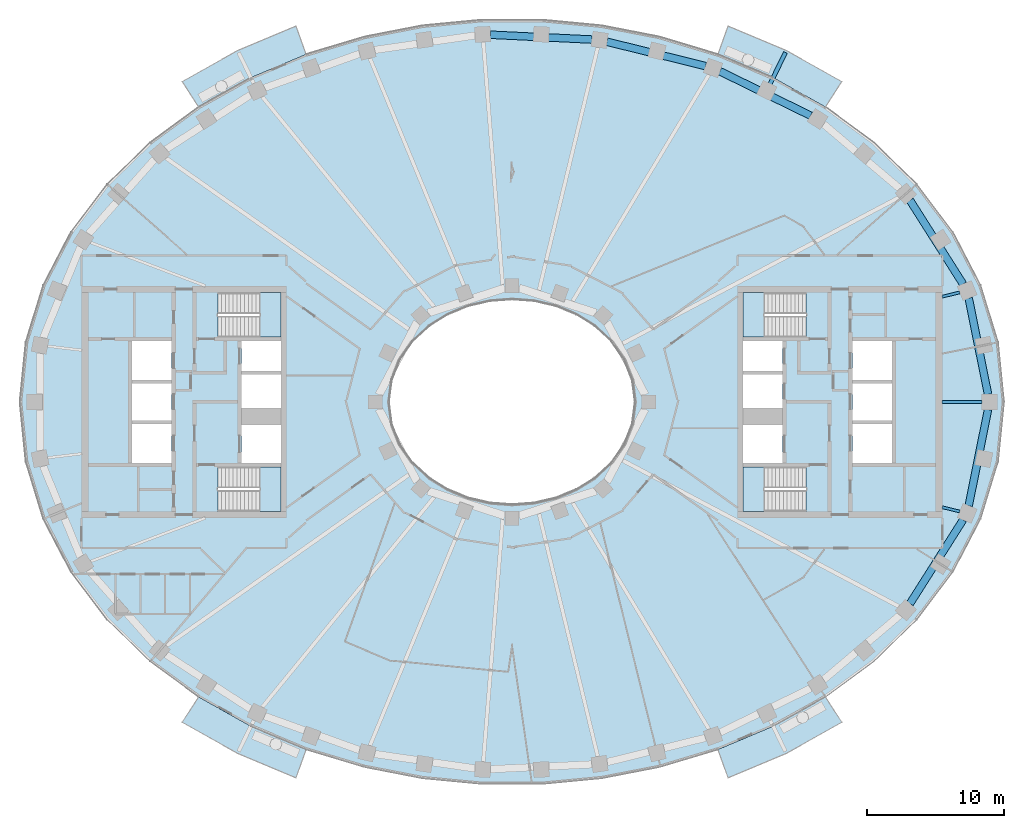
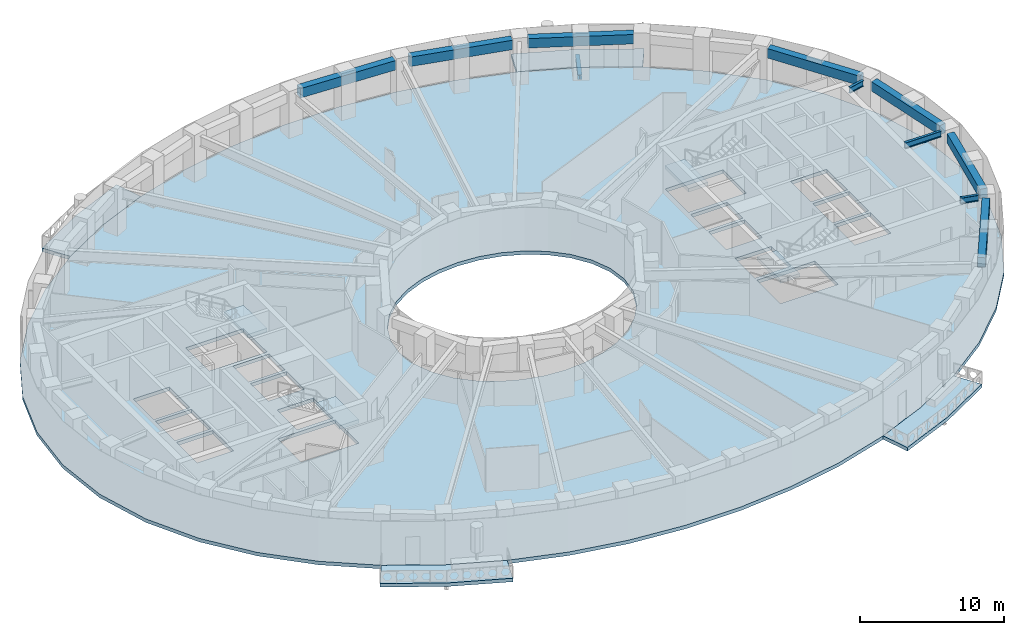
# One storey, part 2 of 15: 11 beams, 9 slabs, 4 elements without a shape of their own.
"""IFC4 building model written with IfcOpenShell, lengths in metres."""

from ifc_helpers import new_model, si_unit, direction, frame, origin, origin_2d, place, context, subcontext, project, spatial, polyline, rectangle, i_section, outline, extrude, material, layer, layer_set, material_profile, profile_set, type_object, element, aggregate, save


model = new_model("IFC4")

# Units and contexts
model_context = context("Model", 3, precision=1e-05, world=origin(), true_north=direction((0.0, 1.0)))
body_context = subcontext(model_context, "Body", "Model", "MODEL_VIEW")
ifc_project = project(units=[si_unit("LENGTHUNIT", "METRE"), si_unit("AREAUNIT", "SQUARE_METRE"), si_unit("VOLUMEUNIT", "CUBIC_METRE"), si_unit("PLANEANGLEUNIT", "RADIAN"), si_unit("MASSUNIT", "GRAM", prefix="KILO")], contexts=[model_context])

# Site, building, storey
site_placement = place(None, origin())
site = spatial("IfcSite", under=ifc_project, at=site_placement, CompositionType="ELEMENT")
building_placement = place(site_placement, origin())
building = spatial("IfcBuilding", under=site, at=building_placement, Name="Noorbagh Ring Tower", CompositionType="ELEMENT")
storey_placement = place(building_placement, frame((0.0, 0.0, 182.0)))
storey = spatial("IfcBuildingStorey", under=building, at=storey_placement, Name="L42", CompositionType="ELEMENT", Elevation=182.0)

# Beams
ifc_material_1 = material(Name="Steel S355", Category="steel")
ifc_material_profile_1 = material_profile(ifc_material_1, i_section(OverallWidth=0.300048828125, OverallDepth=0.39990234375, WebThickness=0.013427734375, FlangeThickness=0.02392578125, FilletRadius=0.027099609375, at=origin_2d()), Name="HEB400")
ifc_profile_set_1 = profile_set([ifc_material_profile_1], Name="Steel S355")
beam_type_1 = type_object("IfcBeamType", Name="STR-BALCONY-BRACKET-HEB400", PredefinedType="BEAM", material=ifc_profile_set_1)
beam_1_placement = place(storey_placement, frame((18.89013671875, 23.283935546875, -0.5), z_axis=(0.439230736405, 0.898374287364, 0.0), x_axis=(-0.898374287364, 0.439230736405, 0.0)))
element("IfcBeam", 1, at=beam_1_placement, inside=storey, type_object=beam_type_1, Name="Balcony bracket beam BN02", PredefinedType="BEAM", context=body_context, shape_type="SweptSolid", body=[
    extrude(i_section(OverallWidth=0.300048828125, OverallDepth=0.39990234375, WebThickness=0.013427734375, FlangeThickness=0.02392578125, FilletRadius=0.027099609375, at=origin_2d()), origin(), (0.0, 0.0, 1.0), 2.55029296875),
])
ifc_material_2 = material(Name="Steel S355", Category="steel")
ifc_material_profile_2 = material_profile(ifc_material_2, i_section(OverallWidth=0.199951171875, OverallDepth=0.5, WebThickness=0.01025390625, FlangeThickness=0.01611328125, FilletRadius=0.02099609375, at=origin_2d()), Name="IPE500")
ifc_profile_set_2 = profile_set([ifc_material_profile_2], Name="Steel S355")
beam_type_2 = type_object("IfcBeamType", Name="STR-RAD-IPE500", PredefinedType="BEAM", material=ifc_profile_set_2)
beam_2_placement = place(storey_placement, frame((34.3896484375, 0.0, 3.449951171875), z_axis=(-1.0, 0.0, 0.0), x_axis=(0.0, -1.0, 0.0)))
element("IfcBeam", 2, at=beam_2_placement, inside=storey, type_object=beam_type_2, Name="L42/bm/RD01", PredefinedType="BEAM", context=body_context, shape_type="SweptSolid", body=[
    extrude(i_section(OverallWidth=0.199951171875, OverallDepth=0.5, WebThickness=0.01025390625, FlangeThickness=0.01611328125, FilletRadius=0.02099609375, at=origin_2d()), origin(), (0.0, 0.0, 1.0), 2.90966796875),
])
for number, where, z_axis, x_axis, name in (
    (3, (32.759765625, 8.015869140625, 3.449951171875), (-0.971351477813, -0.237647441709, 0.0), (0.237647441709, -0.971351477813, 0.0), "L42/bm/RD03"),
    (4, (32.759765625, -8.015869140625, 3.449951171875), (-0.971351477813, 0.237647441709, 0.0), (-0.237647441709, -0.971351477813, 0.0), "L42/bm/RD45"),
):
    element("IfcBeam", number, at=place(storey_placement, frame(where, z_axis=z_axis, x_axis=x_axis)), inside=storey, type_object=beam_type_2, Name=name, PredefinedType="BEAM", context=body_context, shape_type="SweptSolid", body=[
        extrude(i_section(OverallWidth=0.199951171875, OverallDepth=0.5, WebThickness=0.01025390625, FlangeThickness=0.01611328125, FilletRadius=0.02099609375, at=origin_2d()), origin(), (0.0, 0.0, 1.0), 1.317138671875),
    ])
ifc_material_3 = material(Name="Concrete C40/50", Category="concrete")
ifc_material_profile_3 = material_profile(ifc_material_3, rectangle(XDim=0.550048828125, YDim=0.800048828125, at=origin_2d()), Name="RC550x800")
ifc_profile_set_3 = profile_set([ifc_material_profile_3], Name="Concrete C40/50")
beam_type_3 = type_object("IfcBeamType", Name="STR-SB-RC550x800-C40-50", PredefinedType="BEAM", material=ifc_profile_set_3)
beam_3_placement = place(storey_placement, frame((34.8330078125, 0.555419921875, 3.300048828125), z_axis=(-0.197234085058, 0.980356422783, 0.0), x_axis=(-0.980356422783, -0.197234085058, 0.0)))
element("IfcBeam", 5, at=beam_3_placement, inside=storey, type_object=beam_type_3, Name="L42/bm/SP01", PredefinedType="BEAM", context=body_context, shape_type="SweptSolid", body=[
    extrude(rectangle(XDim=0.550048828125, YDim=0.800048828125, at=origin_2d()), origin(), (0.0, 0.0, 1.0), 7.1806640625),
])
beam_4_placement = place(storey_placement, frame((33.00341796875, 8.625732421875, 3.300048828125), z_axis=(-0.535193751586, 0.844729334322, 0.0), x_axis=(-0.844729334322, -0.535193751586, 0.0)))
element("IfcBeam", 6, at=beam_4_placement, inside=storey, type_object=beam_type_3, Name="L42/bm/SP03", PredefinedType="BEAM", context=body_context, shape_type="SweptSolid", body=[
    extrude(rectangle(XDim=0.550048828125, YDim=0.800048828125, at=origin_2d()), origin(), (0.0, 0.0, 1.0), 7.25634765625),
])
beam_5_placement = place(storey_placement, frame((21.85986328125, 20.945556640625, 3.300048828125), z_axis=(-0.898409236546, 0.439159246389, 0.0), x_axis=(-0.439159246389, -0.898409236546, 0.0)))
element("IfcBeam", 7, at=beam_5_placement, inside=storey, type_object=beam_type_3, Name="L42/bm/SP07", PredefinedType="BEAM", context=body_context, shape_type="SweptSolid", body=[
    extrude(rectangle(XDim=0.550048828125, YDim=0.800048828125, at=origin_2d()), origin(), (0.0, 0.0, 1.0), 7.400390625),
])
beam_6_placement = place(storey_placement, frame((14.167724609375, 24.57470703125, 3.300048828125), z_axis=(-0.970828249823, 0.239775956563, 0.0), x_axis=(-0.239775956563, -0.970828249823, 0.0)))
element("IfcBeam", 8, at=beam_6_placement, inside=storey, type_object=beam_type_3, Name="L42/bm/SP09", PredefinedType="BEAM", context=body_context, shape_type="SweptSolid", body=[
    extrude(rectangle(XDim=0.550048828125, YDim=0.800048828125, at=origin_2d()), origin(), (0.0, 0.0, 1.0), 7.433837890625),
])
beam_7_placement = place(storey_placement, frame((5.852294921875, 26.517333984375, 3.300048828125), z_axis=(-0.998867915197, 0.047569822271, 0.0), x_axis=(-0.047569822271, -0.998867915197, 0.0)))
element("IfcBeam", 9, at=beam_7_placement, inside=storey, type_object=beam_type_3, Name="L42/bm/SP11", PredefinedType="BEAM", context=body_context, shape_type="SweptSolid", body=[
    extrude(rectangle(XDim=0.550048828125, YDim=0.800048828125, at=origin_2d()), origin(), (0.0, 0.0, 1.0), 7.447021484375),
])
beam_8_placement = place(storey_placement, frame((29.119873046875, -14.75537109375, 3.300048828125), z_axis=(0.535193751586, 0.844729334322, 0.0), x_axis=(-0.844729334322, 0.535193751586, 0.0)))
element("IfcBeam", 10, at=beam_8_placement, inside=storey, type_object=beam_type_3, Name="L42/bm/SP43", PredefinedType="BEAM", context=body_context, shape_type="SweptSolid", body=[
    extrude(rectangle(XDim=0.550048828125, YDim=0.800048828125, at=origin_2d()), origin(), (0.0, 0.0, 1.0), 7.25634765625),
])
beam_9_placement = place(storey_placement, frame((33.416748046875, -7.594970703125, 3.300048828125), z_axis=(0.197234085058, 0.980356422783, 0.0), x_axis=(-0.980356422783, 0.197234085058, 0.0)))
element("IfcBeam", 11, at=beam_9_placement, inside=storey, type_object=beam_type_3, Name="L42/bm/SP45", PredefinedType="BEAM", context=body_context, shape_type="SweptSolid", body=[
    extrude(rectangle(XDim=0.550048828125, YDim=0.800048828125, at=origin_2d()), origin(), (0.0, 0.0, 1.0), 7.1806640625),
])

# Stair, slab
ifc_material_4 = material(Name="Concrete C40/50", Category="concrete")
stair_type = type_object("IfcStairType", Name="CORE-STAIR", PredefinedType="HALF_TURN_STAIR", material=ifc_material_4)
stair_1_placement = place(storey_placement, origin())
stair_1 = element("IfcStair", 12, at=stair_1_placement, inside=storey, type_object=stair_type, Name="L42 Exit stair ST1", PredefinedType="HALF_TURN_STAIR")
ifc_material_5 = material(Name="Concrete C40/50", Category="concrete")
ifc_layer_1 = layer(ifc_material_5, 0.300048828125)
ifc_layer_set_1 = layer_set([ifc_layer_1], Name="Concrete C40/50")
slab_type_1 = type_object("IfcSlabType", Name="CORE-STAIR-LANDING", PredefinedType="LANDING", material=ifc_layer_set_1)
slab_1_placement = place(storey_placement, frame((0.0, 0.0, 1.699951171875)))
slab_1 = element("IfcSlab", 13, at=slab_1_placement, type_object=slab_type_1, Name="ST1 landing 1", PredefinedType="LANDING", context=body_context, shape_type="SweptSolid", body=[
    extrude(outline(polyline([(-18.449951171875, 4.75), (-16.89990234375, 4.75), (-16.89990234375, 8.0), (-18.449951171875, 8.0), (-18.449951171875, 4.75)])), origin(), (0.0, 0.0, 1.0), 0.300048828125),
])
aggregate(stair_1, [slab_1])

stair_2_placement = place(storey_placement, origin())
stair_2 = element("IfcStair", 14, at=stair_2_placement, inside=storey, type_object=stair_type, Name="L42 Exit stair ST2", PredefinedType="HALF_TURN_STAIR")
slab_2_placement = place(storey_placement, frame((0.0, 0.0, 1.699951171875)))
slab_2 = element("IfcSlab", 15, at=slab_2_placement, type_object=slab_type_1, Name="ST2 landing 1", PredefinedType="LANDING", context=body_context, shape_type="SweptSolid", body=[
    extrude(outline(polyline([(-18.449951171875, -8.0), (-16.89990234375, -8.0), (-16.89990234375, -4.75), (-18.449951171875, -4.75), (-18.449951171875, -8.0)])), origin(), (0.0, 0.0, 1.0), 0.300048828125),
])
aggregate(stair_2, [slab_2])

stair_3_placement = place(storey_placement, origin())
stair_3 = element("IfcStair", 16, at=stair_3_placement, inside=storey, type_object=stair_type, Name="L42 Exit stair ST3", PredefinedType="HALF_TURN_STAIR")
slab_3_placement = place(storey_placement, frame((0.0, 0.0, 1.699951171875)))
slab_3 = element("IfcSlab", 17, at=slab_3_placement, type_object=slab_type_1, Name="ST3 landing 1", PredefinedType="LANDING", context=body_context, shape_type="SweptSolid", body=[
    extrude(outline(polyline([(18.449951171875, 8.0), (16.89990234375, 8.0), (16.89990234375, 4.75), (18.449951171875, 4.75), (18.449951171875, 8.0)])), origin(), (0.0, 0.0, 1.0), 0.300048828125),
])
aggregate(stair_3, [slab_3])

stair_4_placement = place(storey_placement, origin())
stair_4 = element("IfcStair", 18, at=stair_4_placement, inside=storey, type_object=stair_type, Name="L42 Exit stair ST4", PredefinedType="HALF_TURN_STAIR")
slab_4_placement = place(storey_placement, frame((0.0, 0.0, 1.699951171875)))
slab_4 = element("IfcSlab", 19, at=slab_4_placement, type_object=slab_type_1, Name="ST4 landing 1", PredefinedType="LANDING", context=body_context, shape_type="SweptSolid", body=[
    extrude(outline(polyline([(18.449951171875, -4.75), (16.89990234375, -4.75), (16.89990234375, -8.0), (18.449951171875, -8.0), (18.449951171875, -4.75)])), origin(), (0.0, 0.0, 1.0), 0.300048828125),
])
aggregate(stair_4, [slab_4])

# Slabs
ifc_material_6 = material(Name="Concrete C40/50", Category="concrete")
ifc_layer_2 = layer(ifc_material_6, 0.300048828125)
ifc_layer_set_2 = layer_set([ifc_layer_2], Name="Concrete C40/50")
slab_type_2 = type_object("IfcSlabType", Name="ENV-BALCONY DECK 300", PredefinedType="FLOOR", material=ifc_layer_set_2)
slab_5_placement = place(storey_placement, frame((0.0, 0.0, -0.300048828125)))
element("IfcSlab", 20, at=slab_5_placement, inside=storey, type_object=slab_type_2, Name="Tree balcony deck BN02", PredefinedType="FLOOR", context=body_context, shape_type="SweptSolid", body=[
    extrude(outline(polyline([(24.1279296875, 23.435791015625), (20.076171875, 25.709716796875), (15.810791015625, 27.50341796875), (15.0654296875, 25.430419921875), (19.108154296875, 23.730224609375), (22.9326171875, 21.583740234375), (24.1279296875, 23.435791015625)])), origin(), (0.0, 0.0, 1.0), 0.300048828125),
])
slab_6_placement = place(storey_placement, frame((0.0, 0.0, -0.300048828125)))
element("IfcSlab", 21, at=slab_6_placement, inside=storey, type_object=slab_type_2, Name="Tree balcony deck BN05", PredefinedType="FLOOR", context=body_context, shape_type="SweptSolid", body=[
    extrude(outline(polyline([(-15.810791015625, 27.50341796875), (-20.076171875, 25.709716796875), (-24.1279296875, 23.435791015625), (-22.9326171875, 21.583740234375), (-19.108154296875, 23.730224609375), (-15.0654296875, 25.430419921875), (-15.810791015625, 27.50341796875)])), origin(), (0.0, 0.0, 1.0), 0.300048828125),
])
slab_7_placement = place(storey_placement, frame((0.0, 0.0, -0.300048828125)))
element("IfcSlab", 22, at=slab_7_placement, inside=storey, type_object=slab_type_2, Name="Tree balcony deck BS02", PredefinedType="FLOOR", context=body_context, shape_type="SweptSolid", body=[
    extrude(outline(polyline([(-24.1279296875, -23.435791015625), (-20.076171875, -25.709716796875), (-15.810791015625, -27.50341796875), (-15.0654296875, -25.430419921875), (-19.108154296875, -23.730224609375), (-22.9326171875, -21.583740234375), (-24.1279296875, -23.435791015625)])), origin(), (0.0, 0.0, 1.0), 0.300048828125),
])
slab_8_placement = place(storey_placement, frame((0.0, 0.0, -0.300048828125)))
element("IfcSlab", 23, at=slab_8_placement, inside=storey, type_object=slab_type_2, Name="Tree balcony deck BS05", PredefinedType="FLOOR", context=body_context, shape_type="SweptSolid", body=[
    extrude(outline(polyline([(15.810791015625, -27.50341796875), (20.076171875, -25.709716796875), (24.1279296875, -23.435791015625), (22.9326171875, -21.583740234375), (19.108154296875, -23.730224609375), (15.0654296875, -25.430419921875), (15.810791015625, -27.50341796875)])), origin(), (0.0, 0.0, 1.0), 0.300048828125),
])
ifc_material_7 = material(Name="Concrete C40/50", Category="concrete")
ifc_layer_3 = layer(ifc_material_7, 0.300048828125)
ifc_layer_set_3 = layer_set([ifc_layer_3], Name="Concrete C40/50")
slab_type_3 = type_object("IfcSlabType", Name="STR-FLOOR-DECK-300", PredefinedType="FLOOR", material=ifc_layer_set_3)
slab_9_placement = place(storey_placement, frame((0.0, 0.0, -0.300048828125)))
element("IfcSlab", 24, at=slab_9_placement, inside=storey, type_object=slab_type_3, Name="L42/slab/1", PredefinedType="FLOOR", context=body_context, shape_type="SweptSolid", body=[
    extrude(outline(polyline([(36.0, 0.0), (35.56103515625, 4.358642578125), (34.281005859375, 8.548828125), (32.255126953125, 12.434814453125), (29.607666015625, 15.92822265625), (26.463134765625, 18.983154296875), (22.9326171875, 21.583740234375), (19.108154296875, 23.730224609375), (15.0654296875, 25.430419921875), (10.865234375, 26.6943359375), (6.5595703125, 27.53125), (2.193115234375, 27.947998046875), (-2.193115234375, 27.947998046875), (-6.5595703125, 27.53125), (-10.865234375, 26.6943359375), (-15.0654296875, 25.430419921875), (-19.108154296875, 23.730224609375), (-22.9326171875, 21.583740234375), (-26.463134765625, 18.983154296875), (-29.607666015625, 15.92822265625), (-32.255126953125, 12.434814453125), (-34.281005859375, 8.548828125), (-35.56103515625, 4.358642578125), (-36.0, 0.0), (-35.56103515625, -4.358642578125), (-34.281005859375, -8.548828125), (-32.255126953125, -12.434814453125), (-29.607666015625, -15.92822265625), (-26.463134765625, -18.983154296875), (-22.9326171875, -21.583740234375), (-19.108154296875, -23.730224609375), (-15.0654296875, -25.430419921875), (-10.865234375, -26.6943359375), (-6.5595703125, -27.53125), (-2.193115234375, -27.947998046875), (2.193115234375, -27.947998046875), (6.5595703125, -27.53125), (10.865234375, -26.6943359375), (15.0654296875, -25.430419921875), (19.108154296875, -23.730224609375), (22.9326171875, -21.583740234375), (26.463134765625, -18.983154296875), (29.607666015625, -15.92822265625), (32.255126953125, -12.434814453125), (34.281005859375, -8.548828125), (35.56103515625, -4.358642578125), (36.0, 0.0)]), holes=[polyline([(24.89990234375, 4.449951171875), (27.800048828125, 4.449951171875), (27.800048828125, 1.60009765625), (24.89990234375, 1.60009765625), (24.89990234375, 4.449951171875)]), polyline([(24.89990234375, 1.35009765625), (27.800048828125, 1.35009765625), (27.800048828125, -1.35009765625), (24.89990234375, -1.35009765625), (24.89990234375, 1.35009765625)]), polyline([(24.89990234375, -1.60009765625), (27.800048828125, -1.60009765625), (27.800048828125, -4.449951171875), (24.89990234375, -4.449951171875), (24.89990234375, -1.60009765625)]), polyline([(21.529541015625, -8.0), (16.89990234375, -8.0), (16.89990234375, -4.75), (21.529541015625, -4.75), (21.529541015625, -8.0)]), polyline([(16.89990234375, 4.75), (16.89990234375, 8.0), (21.529541015625, 8.0), (21.529541015625, 4.75), (16.89990234375, 4.75)]), polyline([(19.800048828125, 4.449951171875), (19.800048828125, 2.25), (16.89990234375, 2.25), (16.89990234375, 4.449951171875), (19.800048828125, 4.449951171875)]), polyline([(16.89990234375, 2.0), (19.800048828125, 2.0), (19.800048828125, -0.449951171875), (16.89990234375, -0.449951171875), (16.89990234375, 2.0)]), polyline([(16.89990234375, -1.699951171875), (19.800048828125, -1.699951171875), (19.800048828125, -4.449951171875), (16.89990234375, -4.449951171875), (16.89990234375, -1.699951171875)]), polyline([(4.697509765625, -6.3974609375), (3.196533203125, -7.010986328125), (1.6171875, -7.3779296875), (0.0, -7.5), (-1.6171875, -7.3779296875), (-3.196533203125, -7.010986328125), (-4.697509765625, -6.3974609375), (-6.071044921875, -5.53662109375), (-7.2587890625, -4.43408203125), (-8.1904296875, -3.10888671875), (-8.79150390625, -1.605224609375), (-9.0, 0.0), (-8.79150390625, 1.605224609375), (-8.1904296875, 3.10888671875), (-7.2587890625, 4.43408203125), (-6.071044921875, 5.53662109375), (-4.697509765625, 6.3974609375), (-3.196533203125, 7.010986328125), (-1.6171875, 7.3779296875), (0.0, 7.5), (1.6171875, 7.3779296875), (3.196533203125, 7.010986328125), (4.697509765625, 6.3974609375), (6.071044921875, 5.53662109375), (7.2587890625, 4.43408203125), (8.1904296875, 3.10888671875), (8.79150390625, 1.605224609375), (9.0, 0.0), (8.79150390625, -1.605224609375), (8.1904296875, -3.10888671875), (7.2587890625, -4.43408203125), (6.071044921875, -5.53662109375), (4.697509765625, -6.3974609375)]), polyline([(-16.89990234375, 2.25), (-19.800048828125, 2.25), (-19.800048828125, 4.449951171875), (-16.89990234375, 4.449951171875), (-16.89990234375, 2.25)]), polyline([(-16.89990234375, -0.449951171875), (-19.800048828125, -0.449951171875), (-19.800048828125, 2.0), (-16.89990234375, 2.0), (-16.89990234375, -0.449951171875)]), polyline([(-16.89990234375, -4.449951171875), (-19.800048828125, -4.449951171875), (-19.800048828125, -1.699951171875), (-16.89990234375, -1.699951171875), (-16.89990234375, -4.449951171875)]), polyline([(-21.529541015625, 8.0), (-16.89990234375, 8.0), (-16.89990234375, 4.75), (-21.529541015625, 4.75), (-21.529541015625, 8.0)]), polyline([(-21.529541015625, -4.75), (-16.89990234375, -4.75), (-16.89990234375, -8.0), (-21.529541015625, -8.0), (-21.529541015625, -4.75)]), polyline([(-24.89990234375, -4.449951171875), (-27.800048828125, -4.449951171875), (-27.800048828125, -1.60009765625), (-24.89990234375, -1.60009765625), (-24.89990234375, -4.449951171875)]), polyline([(-24.89990234375, 1.60009765625), (-27.800048828125, 1.60009765625), (-27.800048828125, 4.449951171875), (-24.89990234375, 4.449951171875), (-24.89990234375, 1.60009765625)]), polyline([(-24.89990234375, -1.35009765625), (-27.800048828125, -1.35009765625), (-27.800048828125, 1.35009765625), (-24.89990234375, 1.35009765625), (-24.89990234375, -1.35009765625)])]), origin(), (0.0, 0.0, 1.0), 0.300048828125),
])

save(model, "model.ifc")
